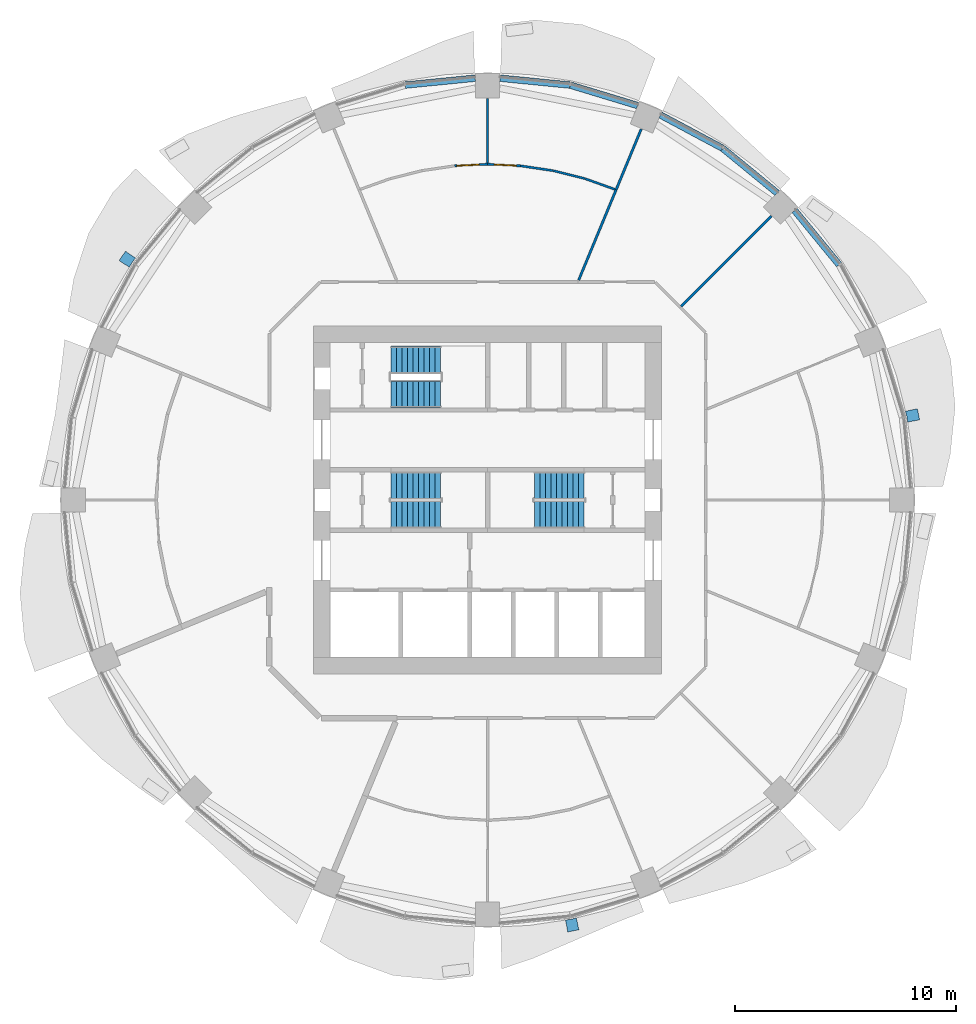
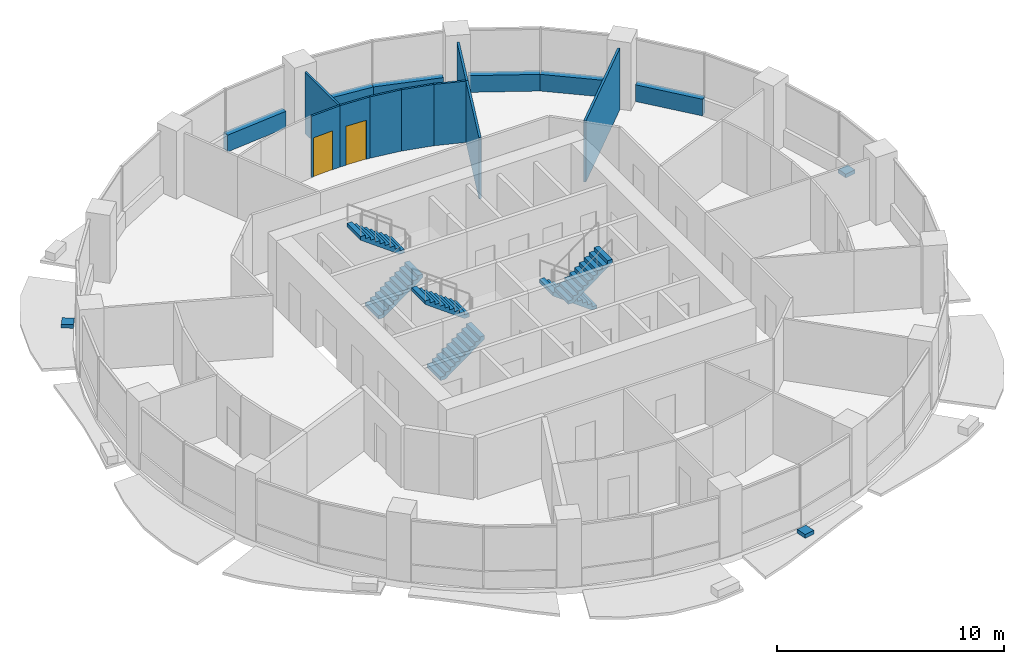
# One storey, part 11 of 15: 15 walls, 6 stair flights, 3 discrete accessories, 2 doors, 2 openings, 3 elements without a shape of their own.
"""IFC4 building model written with IfcOpenShell, lengths in metres."""

from ifc_helpers import new_model, si_unit, direction, frame, frame_2d, origin, place, context, subcontext, project, spatial, polyline, rectangle, outline, extrude, material, layer, layer_set, type_object, element, fill, aggregate, save


model = new_model("IFC4")

# Units and contexts
model_context = context("Model", 3, precision=1e-05, world=origin(), true_north=direction((0.0, 1.0)))
body_context = subcontext(model_context, "Body", "Model", "MODEL_VIEW")
ifc_project = project(units=[si_unit("LENGTHUNIT", "METRE"), si_unit("AREAUNIT", "SQUARE_METRE"), si_unit("VOLUMEUNIT", "CUBIC_METRE"), si_unit("PLANEANGLEUNIT", "RADIAN"), si_unit("MASSUNIT", "GRAM", prefix="KILO")], contexts=[model_context])

# Site, building, storey
site_placement = place(None, origin())
site = spatial("IfcSite", under=ifc_project, at=site_placement, CompositionType="ELEMENT")
building_placement = place(site_placement, origin())
building = spatial("IfcBuilding", under=site, at=building_placement, Name="Polderwave Tower", CompositionType="ELEMENT")
storey_placement = place(building_placement, frame((0.0, 0.0, 87.35009765625)))
storey = spatial("IfcBuildingStorey", under=building, at=storey_placement, Name="L22", CompositionType="ELEMENT", Elevation=87.35009765625)

# Walls
ifc_material_1 = material(Name="Concrete C50/60 (board-marked)", Category="concrete")
ifc_layer_1 = layer(ifc_material_1, 0.300048828125)
ifc_layer_set_1 = layer_set([ifc_layer_1], Name="Concrete spandrel upstand C50/60")
wall_type_1 = type_object("IfcWallType", Name="Concrete spandrel upstand C50/60", PredefinedType="SOLIDWALL", material=ifc_layer_set_1)
for number, where, z_axis, x_axis, name in (
    (1, (15.91259765625, 10.650634765625, 0.0), (0.0, 0.0, 1.0), (-0.634238779555, 0.773137226182, 0.0), "Spandrel L22 2b"),
    (2, (13.103515625, 13.900390625, 0.0), (0.0, 0.0, 1.0), (-0.773137226182, 0.634238779555, 0.0), "Spandrel L22 3a"),
):
    element("IfcWall", number, at=place(storey_placement, frame(where, z_axis=z_axis, x_axis=x_axis)), inside=storey, type_object=wall_type_1, Name=name, PredefinedType="SOLIDWALL", context=body_context, shape_type="SweptSolid", body=[
        extrude(rectangle(XDim=3.172607421875, YDim=0.300048828125, at=frame_2d((1.58642578125, 0.0))), origin(), (0.0, 0.0, 1.0), 0.89990234375),
    ])
wall_1_placement = place(storey_placement, frame((10.625732421875, 15.92919921875, 0.0), z_axis=(0.0, 0.0, 1.0), x_axis=(-0.88188808669, 0.471458802606, 0.0)))
element("IfcWall", 3, at=wall_1_placement, inside=storey, type_object=wall_type_1, Name="Spandrel L22 3b", PredefinedType="SOLIDWALL", context=body_context, shape_type="SweptSolid", body=[
    extrude(rectangle(XDim=3.17236328125, YDim=0.300048828125, at=frame_2d((1.586181640625, 0.0))), origin(), (0.0, 0.0, 1.0), 0.89990234375),
])
wall_2_placement = place(storey_placement, frame((6.78662109375, 17.8564453125, 0.0), z_axis=(0.0, 0.0, 1.0), x_axis=(-0.956927923582, 0.290325591482, 0.0)))
element("IfcWall", 4, at=wall_2_placement, inside=storey, type_object=wall_type_1, Name="Spandrel L22 4a", PredefinedType="SOLIDWALL", context=body_context, shape_type="SweptSolid", body=[
    extrude(rectangle(XDim=3.1728515625, YDim=0.300048828125, at=frame_2d((1.58642578125, 0.0))), origin(), (0.0, 0.0, 1.0), 0.89990234375),
])
for number, where, z_axis, x_axis, name in (
    (5, (3.72119140625, 18.783447265625, 0.0), (0.0, 0.0, 1.0), (-0.995182405567, 0.098040704044, 0.0), "Spandrel L22 4b"),
    (6, (-0.56396484375, 19.094482421875, 0.0), (0.0, 0.0, 1.0), (-0.995182405567, -0.098040704044, 0.0), "Spandrel L22 5a"),
):
    element("IfcWall", number, at=place(storey_placement, frame(where, z_axis=z_axis, x_axis=x_axis)), inside=storey, type_object=wall_type_1, Name=name, PredefinedType="SOLIDWALL", context=body_context, shape_type="SweptSolid", body=[
        extrude(rectangle(XDim=3.172607421875, YDim=0.300048828125, at=frame_2d((1.58642578125, 0.0))), origin(), (0.0, 0.0, 1.0), 0.89990234375),
    ])

# Wall, opening, door
ifc_material_2 = material(Name="Plasterboard on steel studs", Category="steel")
ifc_layer_2 = layer(ifc_material_2, 0.10009765625)
ifc_layer_set_2 = layer_set([ifc_layer_2], Name="Partition 100 mm plasterboard on steel studs")
wall_type_2 = type_object("IfcWallType", Name="Partition 100 mm plasterboard on steel studs", PredefinedType="PARTITIONING", material=ifc_layer_set_2)
wall_3_placement = place(storey_placement, frame((0.0, 15.199951171875, 0.0), z_axis=(0.0, 0.0, 1.0), x_axis=(0.998797711146, -0.049021752402, 0.0)))
wall_3 = element("IfcWall", 7, at=wall_3_placement, inside=storey, type_object=wall_type_2, Name="IN-L22-W033", PredefinedType="PARTITIONING", context=body_context, shape_type="SweptSolid", body=[
    extrude(rectangle(XDim=1.489013671875, YDim=0.10009765625, at=frame_2d((0.74462890625, 0.0))), origin(), (0.0, 0.0, 1.0), 3.2998046875),
])
opening_1_placement = place(wall_3_placement, frame((0.300048828125, 0.0, 0.0)))
opening_1 = element("IfcOpeningElement", 8, at=opening_1_placement, cuts=wall_3, Name="Opening L22-D62", PredefinedType="OPENING", context=body_context, shape_type="SweptSolid", body=[
    extrude(rectangle(XDim=1.0, YDim=2.10009765625, at=frame_2d((0.5, 1.050048828125))), frame((0.0, 0.06005859375, 0.0), z_axis=(0.0, -1.0, 0.0), x_axis=(1.0, 0.0, 0.0)), (0.0, 0.0, 1.0), 0.1201171875),
])
ifc_material_3 = material(Name="Timber veneer door leaf", Category="wood")
door_type = type_object("IfcDoorType", Name="Single door 1000 x 2100", OperationType="NOTDEFINED", PredefinedType="DOOR", material=ifc_material_3)
door_1_placement = place(opening_1_placement, origin())
door_1 = element("IfcDoor", 9, at=door_1_placement, inside=storey, type_object=door_type, Name="Door L22-D62", OperationType="SINGLE_SWING_RIGHT", OverallHeight=2.10009765625, OverallWidth=1.0, PredefinedType="DOOR", context=body_context, shape_type="SweptSolid", body=[
    extrude(rectangle(XDim=1.0, YDim=2.10009765625, at=frame_2d((0.5, 1.050048828125))), frame((0.0, 0.02490234375, 0.0), z_axis=(0.0, -1.0, 0.0), x_axis=(1.0, 0.0, 0.0)), (0.0, 0.0, 1.0), 0.050048828125),
])
fill(opening_1, door_1)

# Walls
wall_4_placement = place(storey_placement, frame((2.962890625, 14.908203125, 0.0), z_axis=(0.0, 0.0, 1.0), x_axis=(-0.989166402168, 0.146798599525, 0.0)))
element("IfcWall", 10, at=wall_4_placement, inside=storey, type_object=wall_type_2, Name="IN-L22-W034", PredefinedType="PARTITIONING", context=body_context, shape_type="SweptSolid", body=[
    extrude(rectangle(XDim=1.48681640625, YDim=0.10009765625, at=frame_2d((0.743408203125, 0.0))), origin(), (0.0, 0.0, 1.0), 3.2998046875),
])
wall_5_placement = place(storey_placement, frame((4.409912109375, 14.546142578125, 0.0), z_axis=(0.0, 0.0, 1.0), x_axis=(-0.970055497102, 0.242883372306, 0.0)))
element("IfcWall", 11, at=wall_5_placement, inside=storey, type_object=wall_type_2, Name="IN-L22-W035", PredefinedType="PARTITIONING", context=body_context, shape_type="SweptSolid", body=[
    extrude(rectangle(XDim=1.486572265625, YDim=0.10009765625, at=frame_2d((0.7431640625, 0.0))), origin(), (0.0, 0.0, 1.0), 3.2998046875),
])
wall_6_placement = place(storey_placement, frame((5.7626953125, 14.0625, 0.0), z_axis=(0.0, 0.0, 1.0), x_axis=(-0.941587499657, 0.33676843749, 0.0)))
element("IfcWall", 12, at=wall_6_placement, inside=storey, type_object=wall_type_2, Name="IN-L22-W036", PredefinedType="PARTITIONING", context=body_context, shape_type="SweptSolid", body=[
    extrude(rectangle(XDim=1.431884765625, YDim=0.10009765625, at=frame_2d((0.7158203125, 0.0))), origin(), (0.0, 0.0, 1.0), 3.2998046875),
])
wall_7_placement = place(storey_placement, frame((0.0, 15.25244140625, 0.0), z_axis=(0.0, 0.0, 1.0), x_axis=(0.0, 1.0, 0.0)))
element("IfcWall", 13, at=wall_7_placement, inside=storey, type_object=wall_type_2, Name="IN-L22-W037", PredefinedType="PARTITIONING", context=body_context, shape_type="SweptSolid", body=[
    extrude(rectangle(XDim=2.91748046875, YDim=0.10009765625, at=frame_2d((1.458740234375, 0.0))), origin(), (0.0, 0.0, 1.0), 3.2998046875),
])

# Wall, opening, door
wall_8_placement = place(storey_placement, frame((-1.4873046875, 15.126953125, 0.0), z_axis=(0.0, 0.0, 1.0), x_axis=(0.998797711146, 0.049021752402, 0.0)))
wall_8 = element("IfcWall", 14, at=wall_8_placement, inside=storey, type_object=wall_type_2, Name="IN-L22-W041", PredefinedType="PARTITIONING", context=body_context, shape_type="SweptSolid", body=[
    extrude(rectangle(XDim=1.489013671875, YDim=0.10009765625, at=frame_2d((0.74462890625, 0.0))), origin(), (0.0, 0.0, 1.0), 3.2998046875),
])
opening_2_placement = place(wall_8_placement, frame((0.10009765625, 0.0, 0.0)))
opening_2 = element("IfcOpeningElement", 15, at=opening_2_placement, cuts=wall_8, Name="Opening L22-D63", PredefinedType="OPENING", context=body_context, shape_type="SweptSolid", body=[
    extrude(rectangle(XDim=1.0, YDim=2.10009765625, at=frame_2d((0.5, 1.050048828125))), frame((0.0, 0.06005859375, 0.0), z_axis=(0.0, -1.0, 0.0), x_axis=(1.0, 0.0, 0.0)), (0.0, 0.0, 1.0), 0.1201171875),
])
door_2_placement = place(opening_2_placement, origin())
door_2 = element("IfcDoor", 16, at=door_2_placement, inside=storey, type_object=door_type, Name="Door L22-D63", OperationType="SINGLE_SWING_LEFT", OverallHeight=2.10009765625, OverallWidth=1.0, PredefinedType="DOOR", context=body_context, shape_type="SweptSolid", body=[
    extrude(rectangle(XDim=1.0, YDim=2.10009765625, at=frame_2d((0.5, 1.050048828125))), frame((0.0, 0.02490234375, 0.0), z_axis=(0.0, -1.0, 0.0), x_axis=(1.0, 0.0, 0.0)), (0.0, 0.0, 1.0), 0.050048828125),
])
fill(opening_2, door_2)

# Walls
ifc_material_4 = material(Name="Acoustic double plasterboard on steel studs", Category="steel")
ifc_layer_3 = layer(ifc_material_4, 0.110107421875)
ifc_layer_set_3 = layer_set([ifc_layer_3], Name="Partition 110 mm acoustic double board")
wall_type_3 = type_object("IfcWallType", Name="Partition 110 mm acoustic double board", PredefinedType="PARTITIONING", material=ifc_layer_set_3)
wall_9_placement = place(storey_placement, frame((12.84814453125, 12.84814453125, 0.0), z_axis=(0.0, 0.0, 1.0), x_axis=(-0.707106781187, -0.707106781187, 0.0)))
element("IfcWall", 17, at=wall_9_placement, inside=storey, type_object=wall_type_3, Name="IN-L22-W030", PredefinedType="PARTITIONING", context=body_context, shape_type="SweptSolid", body=[
    extrude(rectangle(XDim=5.772216796875, YDim=0.110107421875, at=frame_2d((2.88623046875, 0.0))), origin(), (0.0, 0.0, 1.0), 3.2998046875),
])
wall_10_placement = place(storey_placement, frame((5.81689453125, 14.04296875, 0.0), z_axis=(0.0, 0.0, 1.0), x_axis=(0.382659139036, 0.923889594764, 0.0)))
element("IfcWall", 18, at=wall_10_placement, inside=storey, type_object=wall_type_3, Name="IN-L22-W031", PredefinedType="PARTITIONING", context=body_context, shape_type="SweptSolid", body=[
    extrude(rectangle(XDim=2.969970703125, YDim=0.110107421875, at=frame_2d((1.48486328125, 0.0))), origin(), (0.0, 0.0, 1.0), 3.2998046875),
])
wall_11_placement = place(storey_placement, frame((4.12451171875, 9.95751953125, 0.0), z_axis=(0.0, 0.0, 1.0), x_axis=(0.382709362011, 0.923868791674, 0.0)))
element("IfcWall", 19, at=wall_11_placement, inside=storey, type_object=wall_type_3, Name="IN-L22-W032", PredefinedType="PARTITIONING", context=body_context, shape_type="SweptSolid", body=[
    extrude(rectangle(XDim=4.422119140625, YDim=0.110107421875, at=frame_2d((2.2109375, 0.0))), origin(), (0.0, 0.0, 1.0), 3.2998046875),
])

# Stair, stair flights
ifc_material_5 = material(Name="Concrete C40/50", Category="concrete")
stair_type = type_object("IfcStairType", Name="Exit stair 1200 x 20 risers", PredefinedType="HALF_TURN_STAIR", material=ifc_material_5)
stair_1_placement = place(storey_placement, origin())
stair_1 = element("IfcStair", 20, at=stair_1_placement, inside=storey, type_object=stair_type, Name="L22 Exit stair A", PredefinedType="HALF_TURN_STAIR")
stair_flight_type = type_object("IfcStairFlightType", Name="Stair flight 1200", PredefinedType="STRAIGHT", material=ifc_material_5)
stair_flight_1_placement = place(storey_placement, frame((-4.3740234375, -0.675048828125, 0.0), z_axis=(0.0, 0.0, 1.0), x_axis=(1.0, 0.0, 0.0)))
stair_flight_1 = element("IfcStairFlight", 21, at=stair_flight_1_placement, type_object=stair_flight_type, Name="ST-A flight 1", NumberOfRisers=10, NumberOfTreads=9, PredefinedType="STRAIGHT", RiserHeight=0.1825, TreadLength=0.25, context=body_context, shape_type="SweptSolid", body=[
    extrude(outline(polyline([(0.0, 0.0), (0.0, 0.1826171875), (0.25, 0.1826171875), (0.25, 0.364990234375), (0.5, 0.364990234375), (0.5, 0.547607421875), (0.75, 0.547607421875), (0.75, 0.72998046875), (1.0, 0.72998046875), (1.0, 0.91259765625), (1.25, 0.91259765625), (1.25, 1.094970703125), (1.5, 1.094970703125), (1.5, 1.277587890625), (1.75, 1.277587890625), (1.75, 1.4599609375), (2.0, 1.4599609375), (2.0, 1.642578125), (2.25, 1.642578125), (2.25, 1.824951171875), (2.25, 1.456787109375), (0.254150390625, 0.0), (0.0, 0.0)])), frame((0.0, 0.60009765625, 0.0), z_axis=(0.0, -1.0, 0.0), x_axis=(1.0, 0.0, 0.0)), (0.0, 0.0, 1.0), 1.199951171875),
])
stair_flight_2_placement = place(storey_placement, frame((-2.1240234375, 0.675048828125, 1.824951171875), z_axis=(0.0, 0.0, 1.0), x_axis=(-1.0, 0.0, 0.0)))
stair_flight_2 = element("IfcStairFlight", 22, at=stair_flight_2_placement, type_object=stair_flight_type, Name="ST-A flight 2", NumberOfRisers=10, NumberOfTreads=9, PredefinedType="STRAIGHT", RiserHeight=0.1825, TreadLength=0.25, context=body_context, shape_type="SweptSolid", body=[
    extrude(outline(polyline([(0.0, 0.0), (0.0, 0.1826171875), (0.25, 0.1826171875), (0.25, 0.364990234375), (0.5, 0.364990234375), (0.5, 0.547607421875), (0.75, 0.547607421875), (0.75, 0.72998046875), (1.0, 0.72998046875), (1.0, 0.91259765625), (1.25, 0.91259765625), (1.25, 1.094970703125), (1.5, 1.094970703125), (1.5, 1.277587890625), (1.75, 1.277587890625), (1.75, 1.4599609375), (2.0, 1.4599609375), (2.0, 1.642578125), (2.25, 1.642578125), (2.25, 1.824951171875), (2.25, 1.456787109375), (0.254150390625, 0.0), (0.0, 0.0)])), frame((0.0, 0.60009765625, 0.0), z_axis=(0.0, -1.0, 0.0), x_axis=(1.0, 0.0, 0.0)), (0.0, 0.0, 1.0), 1.199951171875),
])
aggregate(stair_1, [stair_flight_1, stair_flight_2])

stair_2_placement = place(storey_placement, origin())
stair_2 = element("IfcStair", 23, at=stair_2_placement, inside=storey, type_object=stair_type, Name="L22 Exit stair B", PredefinedType="HALF_TURN_STAIR")
stair_flight_3_placement = place(storey_placement, frame((4.3740234375, 0.675048828125, 0.0), z_axis=(0.0, 0.0, 1.0), x_axis=(-1.0, 0.0, 0.0)))
stair_flight_3 = element("IfcStairFlight", 24, at=stair_flight_3_placement, type_object=stair_flight_type, Name="ST-B flight 1", NumberOfRisers=10, NumberOfTreads=9, PredefinedType="STRAIGHT", RiserHeight=0.1825, TreadLength=0.25, context=body_context, shape_type="SweptSolid", body=[
    extrude(outline(polyline([(0.0, 0.0), (0.0, 0.1826171875), (0.25, 0.1826171875), (0.25, 0.364990234375), (0.5, 0.364990234375), (0.5, 0.547607421875), (0.75, 0.547607421875), (0.75, 0.72998046875), (1.0, 0.72998046875), (1.0, 0.91259765625), (1.25, 0.91259765625), (1.25, 1.094970703125), (1.5, 1.094970703125), (1.5, 1.277587890625), (1.75, 1.277587890625), (1.75, 1.4599609375), (2.0, 1.4599609375), (2.0, 1.642578125), (2.25, 1.642578125), (2.25, 1.824951171875), (2.25, 1.456787109375), (0.254150390625, 0.0), (0.0, 0.0)])), frame((0.0, 0.60009765625, 0.0), z_axis=(0.0, -1.0, 0.0), x_axis=(1.0, 0.0, 0.0)), (0.0, 0.0, 1.0), 1.199951171875),
])
stair_flight_4_placement = place(storey_placement, frame((2.1240234375, -0.675048828125, 1.824951171875), z_axis=(0.0, 0.0, 1.0), x_axis=(1.0, 0.0, 0.0)))
stair_flight_4 = element("IfcStairFlight", 25, at=stair_flight_4_placement, type_object=stair_flight_type, Name="ST-B flight 2", NumberOfRisers=10, NumberOfTreads=9, PredefinedType="STRAIGHT", RiserHeight=0.1825, TreadLength=0.25, context=body_context, shape_type="SweptSolid", body=[
    extrude(outline(polyline([(0.0, 0.0), (0.0, 0.1826171875), (0.25, 0.1826171875), (0.25, 0.364990234375), (0.5, 0.364990234375), (0.5, 0.547607421875), (0.75, 0.547607421875), (0.75, 0.72998046875), (1.0, 0.72998046875), (1.0, 0.91259765625), (1.25, 0.91259765625), (1.25, 1.094970703125), (1.5, 1.094970703125), (1.5, 1.277587890625), (1.75, 1.277587890625), (1.75, 1.4599609375), (2.0, 1.4599609375), (2.0, 1.642578125), (2.25, 1.642578125), (2.25, 1.824951171875), (2.25, 1.456787109375), (0.254150390625, 0.0), (0.0, 0.0)])), frame((0.0, 0.60009765625, 0.0), z_axis=(0.0, -1.0, 0.0), x_axis=(1.0, 0.0, 0.0)), (0.0, 0.0, 1.0), 1.199951171875),
])
aggregate(stair_2, [stair_flight_3, stair_flight_4])

stair_3_placement = place(storey_placement, origin())
stair_3 = element("IfcStair", 26, at=stair_3_placement, inside=storey, type_object=stair_type, Name="L22 Exit stair C", PredefinedType="HALF_TURN_STAIR")
stair_flight_5_placement = place(storey_placement, frame((-4.3740234375, 4.77392578125, 0.0), z_axis=(0.0, 0.0, 1.0), x_axis=(1.0, 0.0, 0.0)))
stair_flight_5 = element("IfcStairFlight", 27, at=stair_flight_5_placement, type_object=stair_flight_type, Name="ST-C flight 1", NumberOfRisers=10, NumberOfTreads=9, PredefinedType="STRAIGHT", RiserHeight=0.1825, TreadLength=0.25, context=body_context, shape_type="SweptSolid", body=[
    extrude(outline(polyline([(0.0, 0.0), (0.0, 0.1826171875), (0.25, 0.1826171875), (0.25, 0.364990234375), (0.5, 0.364990234375), (0.5, 0.547607421875), (0.75, 0.547607421875), (0.75, 0.72998046875), (1.0, 0.72998046875), (1.0, 0.91259765625), (1.25, 0.91259765625), (1.25, 1.094970703125), (1.5, 1.094970703125), (1.5, 1.277587890625), (1.75, 1.277587890625), (1.75, 1.4599609375), (2.0, 1.4599609375), (2.0, 1.642578125), (2.25, 1.642578125), (2.25, 1.824951171875), (2.25, 1.456787109375), (0.254150390625, 0.0), (0.0, 0.0)])), frame((0.0, 0.60009765625, 0.0), z_axis=(0.0, -1.0, 0.0), x_axis=(1.0, 0.0, 0.0)), (0.0, 0.0, 1.0), 1.199951171875),
])
stair_flight_6_placement = place(storey_placement, frame((-2.1240234375, 6.3740234375, 1.824951171875), z_axis=(0.0, 0.0, 1.0), x_axis=(-1.0, 0.0, 0.0)))
stair_flight_6 = element("IfcStairFlight", 28, at=stair_flight_6_placement, type_object=stair_flight_type, Name="ST-C flight 2", NumberOfRisers=10, NumberOfTreads=9, PredefinedType="STRAIGHT", RiserHeight=0.1825, TreadLength=0.25, context=body_context, shape_type="SweptSolid", body=[
    extrude(outline(polyline([(0.0, 0.0), (0.0, 0.1826171875), (0.25, 0.1826171875), (0.25, 0.364990234375), (0.5, 0.364990234375), (0.5, 0.547607421875), (0.75, 0.547607421875), (0.75, 0.72998046875), (1.0, 0.72998046875), (1.0, 0.91259765625), (1.25, 0.91259765625), (1.25, 1.094970703125), (1.5, 1.094970703125), (1.5, 1.277587890625), (1.75, 1.277587890625), (1.75, 1.4599609375), (2.0, 1.4599609375), (2.0, 1.642578125), (2.25, 1.642578125), (2.25, 1.824951171875), (2.25, 1.456787109375), (0.254150390625, 0.0), (0.0, 0.0)])), frame((0.0, 0.60009765625, 0.0), z_axis=(0.0, -1.0, 0.0), x_axis=(1.0, 0.0, 0.0)), (0.0, 0.0, 1.0), 1.199951171875),
])
aggregate(stair_3, [stair_flight_5, stair_flight_6])

# Discrete accessories
ifc_material_6 = material(Name="Steel S355", Category="steel")
discrete_accessory_type = type_object("IfcDiscreteAccessoryType", Name="Band bracket pad", PredefinedType="BRACKET", material=ifc_material_6)
discrete_accessory_1_placement = place(storey_placement, frame((0.0, 0.0, -0.2001953125)))
element("IfcDiscreteAccessory", 29, at=discrete_accessory_1_placement, inside=storey, type_object=discrete_accessory_type, Name="Band bracket L22 1", PredefinedType="BRACKET", context=body_context, shape_type="SweptSolid", body=[
    extrude(outline(polyline([(19.014892578125, 3.527587890625), (18.978271484375, 3.77490234375), (18.91748046875, 4.017578125), (19.45556640625, 4.1318359375), (19.5556640625, 3.6279296875), (19.014892578125, 3.527587890625)])), origin(), (0.0, 0.0, 1.0), 0.2001953125),
])
discrete_accessory_2_placement = place(storey_placement, frame((0.0, 0.0, -0.2001953125)))
element("IfcDiscreteAccessory", 30, at=discrete_accessory_2_placement, inside=storey, type_object=discrete_accessory_type, Name="Band bracket L22 7", PredefinedType="BRACKET", context=body_context, shape_type="SweptSolid", body=[
    extrude(outline(polyline([(-15.93994140625, 10.951171875), (-16.0888671875, 10.750244140625), (-16.217529296875, 10.535888671875), (-16.6787109375, 10.83544921875), (-16.393310546875, 11.262451171875), (-15.93994140625, 10.951171875)])), origin(), (0.0, 0.0, 1.0), 0.2001953125),
])
discrete_accessory_3_placement = place(storey_placement, frame((0.0, 0.0, -0.2001953125)))
element("IfcDiscreteAccessory", 31, at=discrete_accessory_3_placement, inside=storey, type_object=discrete_accessory_type, Name="Band bracket L22 13", PredefinedType="BRACKET", context=body_context, shape_type="SweptSolid", body=[
    extrude(outline(polyline([(3.527587890625, -19.014892578125), (3.77490234375, -18.978271484375), (4.017578125, -18.91748046875), (4.1318359375, -19.45556640625), (3.6279296875, -19.5556640625), (3.527587890625, -19.014892578125)])), origin(), (0.0, 0.0, 1.0), 0.2001953125),
])

save(model, "model.ifc")
